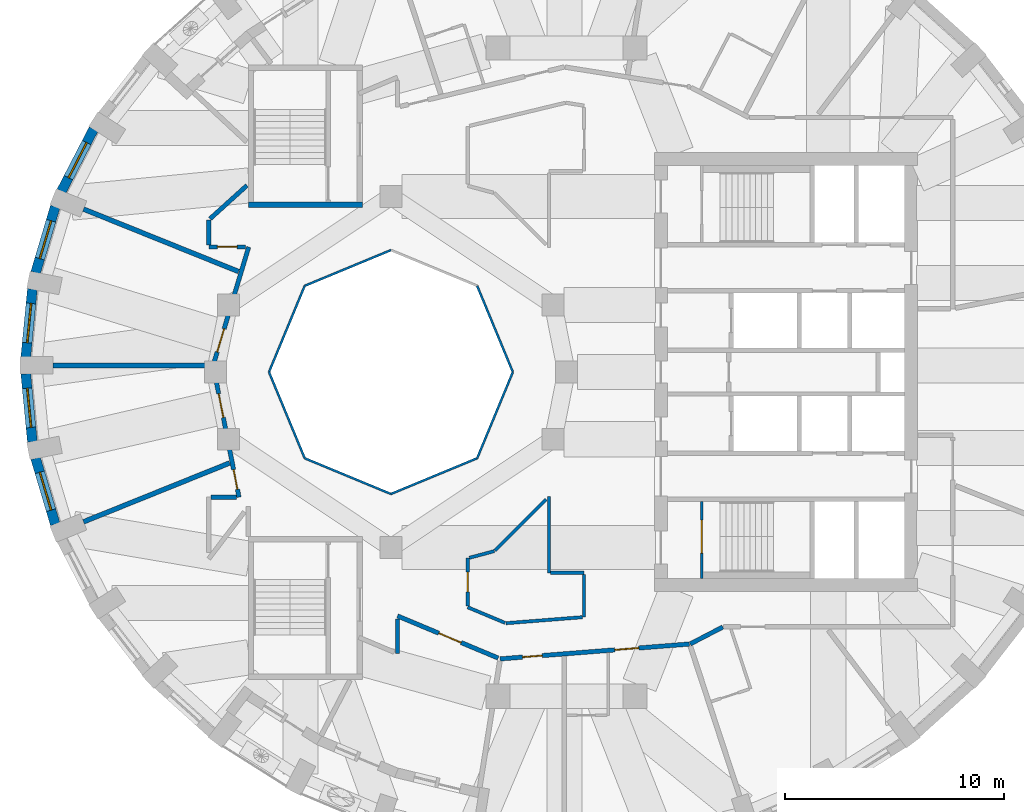
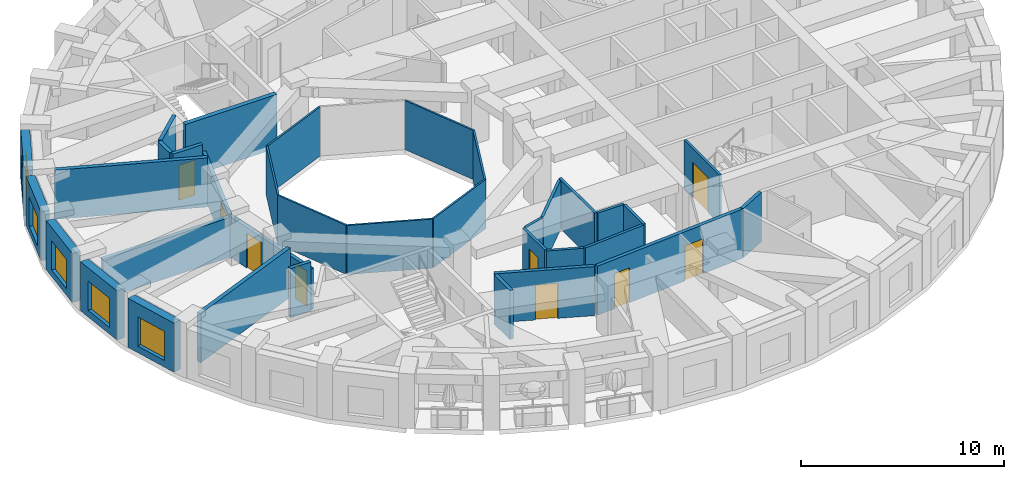
# One storey, part 4 of 12: 35 walls, 9 doors, 5 windows, 14 openings.
"""IFC4 building model written with IfcOpenShell, lengths in metres."""

import ifcopenshell
import ifcopenshell.guid

model = None  # the IFC model being written
_history = None  # IfcOwnerHistory: only IFC2X3 demands one
_inside = {}  # id of a spatial element -> (the spatial element, [elements in it])
_under = {}  # id of a project, library or spatial element -> (it, [spatial elements below it])
_declared = {}  # id of a project -> (the project, [libraries it declares])
_typed = {}  # id of a type object -> (the type object, [elements of that type])
_made_of = {}  # id of a material, layer set ... -> (it, [elements and type objects made of it])


def new_model(schema):
    """Start an empty IFC model of exactly this schema.

    Asked for "IFC4X3", IfcOpenShell would pick the latest addendum, in which some entities
    have other attributes; the version numbers below select the first issue.
    IFC2X3 requires an IfcOwnerHistory on every rooted entity: one is made here for all.
    """
    global model, _history
    if schema == "IFC4X3":
        model = ifcopenshell.file(schema_version=(4, 3, 0, 0))
    else:
        model = ifcopenshell.file(schema=schema)
    _inside.clear()
    _under.clear()
    _declared.clear()
    _typed.clear()
    _made_of.clear()
    _history = None
    if model.schema == "IFC2X3":
        org = make("IfcOrganization", Name="unknown")
        user = make(
            "IfcPersonAndOrganization",
            ThePerson=make("IfcPerson", FamilyName="unknown"),
            TheOrganization=org,
        )
        app = make(
            "IfcApplication",
            ApplicationDeveloper=org,
            Version="unknown",
            ApplicationFullName="unknown",
            ApplicationIdentifier="unknown",
        )
        _history = make(
            "IfcOwnerHistory",
            OwningUser=user,
            OwningApplication=app,
            ChangeAction="ADDED",
            CreationDate=0,
        )
    return model


def make(cls, **values):
    """One entity of the class cls with the attributes given. An attribute that is None is left unset."""
    return model.create_entity(
        cls, **{name: value for name, value in values.items() if value is not None}
    )


def rooted(cls, **values):
    """An entity with a GlobalId (a new one), such as an element, a storey or a relation."""
    return make(cls, GlobalId=ifcopenshell.guid.new(), OwnerHistory=_history, **values)


def si_unit(unit_type, name, prefix=None):
    """IfcSIUnit, for example si_unit("LENGTHUNIT", "METRE", prefix="MILLI")."""
    return make("IfcSIUnit", UnitType=unit_type, Prefix=prefix, Name=name)


def assignment(units):
    """IfcUnitAssignment: the units of a project."""
    return None if units is None else make("IfcUnitAssignment", Units=units)


def point(xyz):
    """IfcCartesianPoint."""
    return None if xyz is None else make("IfcCartesianPoint", Coordinates=xyz)


def direction(xyz):
    """IfcDirection."""
    return None if xyz is None else make("IfcDirection", DirectionRatios=xyz)


def frame(location, z_axis=None, x_axis=None):
    """IfcAxis2Placement3D, a coordinate frame: its origin and axes. An axis left out is left unset."""
    return make(
        "IfcAxis2Placement3D",
        Location=point(location),
        Axis=direction(z_axis),
        RefDirection=direction(x_axis),
    )


def frame_2d(location, x_axis=None):
    """IfcAxis2Placement2D, a coordinate frame in the plane: its origin and x axis."""
    return make(
        "IfcAxis2Placement2D", Location=point(location), RefDirection=direction(x_axis)
    )


def origin():
    """The frame at (0, 0, 0) with its axes left unset."""
    return frame((0.0, 0.0, 0.0))


def place(relative_to, where):
    """IfcLocalPlacement: puts the frame where relative to a parent placement (None: the world)."""
    return make(
        "IfcLocalPlacement", PlacementRelTo=relative_to, RelativePlacement=where
    )


def context(
    kind, dimensions, precision=None, world=None, true_north=None, identifier=None
):
    """IfcGeometricRepresentationContext, for example the 3D "Model" context."""
    return make(
        "IfcGeometricRepresentationContext",
        ContextIdentifier=identifier,
        ContextType=kind,
        CoordinateSpaceDimension=dimensions,
        Precision=precision,
        WorldCoordinateSystem=world,
        TrueNorth=true_north,
    )


def subcontext(parent, identifier, kind, view, scale=None):
    """IfcGeometricRepresentationSubContext, for example "Body" below "Model"."""
    return make(
        "IfcGeometricRepresentationSubContext",
        ContextIdentifier=identifier,
        ContextType=kind,
        ParentContext=parent,
        TargetScale=scale,
        TargetView=view,
    )


def project(units=None, contexts=None):
    """IfcProject with its units and contexts."""
    return rooted(
        "IfcProject",
        Name="project",
        RepresentationContexts=contexts,
        UnitsInContext=assignment(units),
    )


def spatial(cls, under=None, at=None, **own):
    """A site, building, storey or space (cls), placed at a placement, below another one or the project."""
    s = rooted(cls, ObjectPlacement=at, **own)
    if under is not None:
        _under.setdefault(under.id(), (under, []))[1].append(s)
    return s


def profile(cls, at=None, kind="AREA", **sizes):
    """A parametric profile (cls). Its sizes go by their IFC names, for example OverallWidth=200.0."""
    return make(cls, ProfileType=kind, Position=at, **sizes)


def rectangle(**sizes):
    """IfcRectangleProfileDef."""
    return profile("IfcRectangleProfileDef", **sizes)


def extrude(swept, where, along, depth):
    """IfcExtrudedAreaSolid: the profile swept, set in the frame where, extruded along a direction by depth."""
    return make(
        "IfcExtrudedAreaSolid",
        SweptArea=swept,
        Position=where,
        ExtrudedDirection=direction(along),
        Depth=depth,
    )


def shape(context_of_items, identifier, shape_type, items):
    """IfcShapeRepresentation: the items that make up one representation, for example the "Body"."""
    return make(
        "IfcShapeRepresentation",
        ContextOfItems=context_of_items,
        RepresentationIdentifier=identifier,
        RepresentationType=shape_type,
        Items=items,
    )


def material(Name=None, Category=None):
    """IfcMaterial."""
    return make("IfcMaterial", Name=Name, Category=Category)


def layer(
    of_material, thickness, ventilated=None, Name=None, Category=None, Priority=None
):
    """IfcMaterialLayer: one layer of a wall or slab, of a material (None: an air gap)."""
    return make(
        "IfcMaterialLayer",
        Material=of_material,
        LayerThickness=thickness,
        IsVentilated=ventilated,
        Name=Name,
        Category=Category,
        Priority=Priority,
    )


def layer_set(layers, Name=None):
    """IfcMaterialLayerSet."""
    return make("IfcMaterialLayerSet", MaterialLayers=layers, LayerSetName=Name)


def made_of(thing, what):
    """Note that an element or type object is made of a material, layer set ...; save() writes the relation."""
    if what is not None:
        _made_of.setdefault(what.id(), (what, []))[1].append(thing)
    return thing


def type_object(cls, material=None, **own):
    """A type object (cls), such as IfcWallType, which elements share."""
    return made_of(rooted(cls, **own), material)


def element(
    cls,
    number,
    at=None,
    inside=None,
    cuts=None,
    type_object=None,
    material=None,
    context=None,
    identifier="Body",
    shape_type=None,
    held_by="IfcProductDefinitionShape",
    body=None,
    shapes=None,
    **own,
):
    """One element of the class cls, such as IfcWall. Its Tag is "e" and its number.

    at: its placement. inside: the storey or other place that contains it. cuts: it is an
    opening in that element (IfcRelVoidsElement). A single representation is given by context,
    identifier, shape_type and body (its items); several are given by shapes. held_by: the class
    of the entity that holds the representations. save() writes the other relations.
    """
    e = rooted(cls, Tag="e%d" % number, ObjectPlacement=at, **own)
    if body is not None:
        shapes = [shape(context, identifier, shape_type, body)]
    if shapes is not None:
        e.Representation = make(held_by, Representations=shapes)
    if inside is not None:
        _inside.setdefault(inside.id(), (inside, []))[1].append(e)
    if cuts is not None:
        rooted(
            "IfcRelVoidsElement", RelatingBuildingElement=cuts, RelatedOpeningElement=e
        )
    if type_object is not None:
        _typed.setdefault(type_object.id(), (type_object, []))[1].append(e)
    return made_of(e, material)


def fill(opening, filler):
    """IfcRelFillsElement: the door or window that sits in an opening."""
    return rooted(
        "IfcRelFillsElement",
        RelatingOpeningElement=opening,
        RelatedBuildingElement=filler,
    )


def aggregate(whole, parts):
    """IfcRelAggregates: a whole, such as a stair, and the parts it consists of."""
    return rooted("IfcRelAggregates", RelatingObject=whole, RelatedObjects=parts)


def save(model, path):
    """Write the relations noted so far, then the file.

    IfcRelAggregates (storeys below a building ...), IfcRelContainedInSpatialStructure (elements
    in a storey), IfcRelDefinesByType, IfcRelAssociatesMaterial and IfcRelDeclares: one each for
    every whole, place, type object, material and project.
    """
    for whole, parts in _under.values():
        aggregate(whole, parts)
    for where, things in _inside.values():
        rooted(
            "IfcRelContainedInSpatialStructure",
            RelatedElements=things,
            RelatingStructure=where,
        )
    for kind, things in _typed.values():
        rooted("IfcRelDefinesByType", RelatedObjects=things, RelatingType=kind)
    for what, things in _made_of.values():
        rooted("IfcRelAssociatesMaterial", RelatedObjects=things, RelatingMaterial=what)
    for by, libraries in _declared.values():
        rooted("IfcRelDeclares", RelatingContext=by, RelatedDefinitions=libraries)
    model.write(path)


model = new_model("IFC4")

# Units and contexts
model_context = context("Model", 3, precision=1e-05, world=origin(), true_north=direction((0.0, 1.0)))
body_context = subcontext(model_context, "Body", "Model", "MODEL_VIEW")
ifc_project = project(units=[si_unit("LENGTHUNIT", "METRE"), si_unit("AREAUNIT", "SQUARE_METRE"), si_unit("VOLUMEUNIT", "CUBIC_METRE"), si_unit("PLANEANGLEUNIT", "RADIAN"), si_unit("MASSUNIT", "GRAM", prefix="KILO")], contexts=[model_context])

# Site, building, storey
site_placement = place(None, origin())
site = spatial("IfcSite", under=ifc_project, at=site_placement, CompositionType="ELEMENT")
building_placement = place(site_placement, origin())
building = spatial("IfcBuilding", under=site, at=building_placement, Name="Taillehof Tower", CompositionType="ELEMENT")
storey_placement = place(building_placement, frame((0.0, 0.0, 256.39990234375)))
storey = spatial("IfcBuildingStorey", under=building, at=storey_placement, Name="L73", CompositionType="ELEMENT", Elevation=256.39990234375)

# Walls
ifc_material_1 = material(Name="Fire-resisting glass in steel frame", Category="steel")
ifc_layer_1 = layer(ifc_material_1, 0.10009765625)
ifc_layer_set_1 = layer_set([ifc_layer_1], Name="Atrium fire-resisting screen EI 60 100")
wall_type_1 = type_object("IfcWallType", Name="Atrium fire-resisting screen EI 60 100", PredefinedType="PARTITIONING", material=ifc_layer_set_1)
for number, where, z_axis, x_axis, name in (
    (1, (-2.44580078125, 0.0, 0.0), (0.0, 0.0, 1.0), (-0.382730523909, -0.923860025149, 0.0), "Atrium screen"),
    (2, (-4.07275390625, -3.92724609375, 0.0), (0.0, 0.0, 1.0), (-0.923860025149, -0.382730523909, 0.0), "Atrium screen"),
    (3, (-8.0, -5.55419921875, 0.0), (0.0, 0.0, 1.0), (-0.923860025149, 0.382730523909, 0.0), "Atrium screen"),
    (4, (-11.92724609375, -3.92724609375, 0.0), (0.0, 0.0, 1.0), (-0.382730523909, 0.923860025149, 0.0), "Atrium screen"),
    (5, (-13.55419921875, 0.0, 0.0), (0.0, 0.0, 1.0), (0.382730523909, 0.923860025149, 0.0), "Atrium screen"),
    (6, (-11.92724609375, 3.92724609375, 0.0), (0.0, 0.0, 1.0), (0.923860025149, 0.382730523909, 0.0), "Atrium screen"),
    (7, (-4.07275390625, 3.92724609375, 0.0), (0.0, 0.0, 1.0), (0.382730523909, -0.923860025149, 0.0), "Atrium screen"),
):
    element("IfcWall", number, at=place(storey_placement, frame(where, z_axis=z_axis, x_axis=x_axis)), inside=storey, type_object=wall_type_1, Name=name, PredefinedType="PARTITIONING", context=body_context, shape_type="SweptSolid", body=[
        extrude(rectangle(XDim=4.2509765625, YDim=0.10009765625, at=frame_2d((2.12548828125, 0.0))), origin(), (0.0, 0.0, 1.0), 2.9501953125),
    ])

# Wall, opening, window
ifc_material_2 = material(Name="Brick masonry", Category="masonry")
ifc_layer_2 = layer(ifc_material_2, 0.449951171875)
ifc_layer_set_2 = layer_set([ifc_layer_2], Name="Brick infill wall 450")
wall_type_2 = type_object("IfcWallType", Name="Brick infill wall 450", PredefinedType="SOLIDWALL", material=ifc_layer_set_2)
wall_1_placement = place(storey_placement, frame((-21.544921875, 11.068359375, 0.0), z_axis=(0.0, 0.0, 1.0), x_axis=(-0.459889857669, -0.887975967475, 0.0)))
wall_1 = element("IfcWall", 8, at=wall_1_placement, inside=storey, type_object=wall_type_2, Name="Brick wall L73 bay 16", PredefinedType="SOLIDWALL", context=body_context, shape_type="SweptSolid", body=[
    extrude(rectangle(XDim=3.185791015625, YDim=0.449951171875, at=frame_2d((1.5927734375, 0.0))), origin(), (0.0, 0.0, 1.0), 2.9501953125),
])
opening_1_placement = place(wall_1_placement, frame((0.69287109375, 0.0, 0.39990234375)))
opening_1 = element("IfcOpeningElement", 9, at=opening_1_placement, cuts=wall_1, Name="Opening W4", PredefinedType="OPENING", context=body_context, shape_type="SweptSolid", body=[
    extrude(rectangle(XDim=1.800048828125, YDim=1.75, at=frame_2d((0.89990234375, 0.875))), frame((0.0, 0.23486328125, 0.0), z_axis=(0.0, -1.0, 0.0), x_axis=(1.0, 0.0, 0.0)), (0.0, 0.0, 1.0), 0.469970703125),
])
ifc_material_3 = material(Name="Aluminium window frame with clear double glazing", Category="aluminium")
window_type = type_object("IfcWindowType", Name="Deep-set window 1800x1750", PartitioningType="SINGLE_PANEL", PredefinedType="WINDOW", material=ifc_material_3)
window_1_placement = place(opening_1_placement, origin())
window_1 = element("IfcWindow", 10, at=window_1_placement, inside=storey, type_object=window_type, Name="W4", OverallHeight=1.75, OverallWidth=1.800048828125, PartitioningType="SINGLE_PANEL", PredefinedType="WINDOW", context=body_context, shape_type="SweptSolid", body=[
    extrude(rectangle(XDim=1.800048828125, YDim=1.75, at=frame_2d((0.89990234375, 0.875))), frame((0.0, 0.034912109375, 0.0), z_axis=(0.0, -1.0, 0.0), x_axis=(1.0, 0.0, 0.0)), (0.0, 0.0, 1.0), 0.06005859375),
])
fill(opening_1, window_1)

wall_2_placement = place(storey_placement, frame((-23.29443359375, 7.53466796875, 0.0), z_axis=(0.0, 0.0, 1.0), x_axis=(-0.285263800865, -0.958449040855, 0.0)))
wall_2 = element("IfcWall", 11, at=wall_2_placement, inside=storey, type_object=wall_type_2, Name="Brick wall L73 bay 17", PredefinedType="SOLIDWALL", context=body_context, shape_type="SweptSolid", body=[
    extrude(rectangle(XDim=3.13916015625, YDim=0.449951171875, at=frame_2d((1.569580078125, 0.0))), origin(), (0.0, 0.0, 1.0), 2.9501953125),
])
opening_2_placement = place(wall_2_placement, frame((0.669677734375, 0.0, 0.39990234375)))
opening_2 = element("IfcOpeningElement", 12, at=opening_2_placement, cuts=wall_2, Name="Opening W4", PredefinedType="OPENING", context=body_context, shape_type="SweptSolid", body=[
    extrude(rectangle(XDim=1.800048828125, YDim=1.75, at=frame_2d((0.89990234375, 0.875))), frame((0.0, 0.23486328125, 0.0), z_axis=(0.0, -1.0, 0.0), x_axis=(1.0, 0.0, 0.0)), (0.0, 0.0, 1.0), 0.469970703125),
])
window_2_placement = place(opening_2_placement, origin())
window_2 = element("IfcWindow", 13, at=window_2_placement, inside=storey, type_object=window_type, Name="W4", OverallHeight=1.75, OverallWidth=1.800048828125, PartitioningType="SINGLE_PANEL", PredefinedType="WINDOW", context=body_context, shape_type="SweptSolid", body=[
    extrude(rectangle(XDim=1.800048828125, YDim=1.75, at=frame_2d((0.89990234375, 0.875))), frame((0.0, 0.034912109375, 0.0), z_axis=(0.0, -1.0, 0.0), x_axis=(1.0, 0.0, 0.0)), (0.0, 0.0, 1.0), 0.06005859375),
])
fill(opening_2, window_2)

wall_3_placement = place(storey_placement, frame((-24.335693359375, 3.77978515625, 0.0), z_axis=(0.0, 0.0, 1.0), x_axis=(-0.096740086873, -0.995309678237, 0.0)))
wall_3 = element("IfcWall", 14, at=wall_3_placement, inside=storey, type_object=wall_type_2, Name="Brick wall L73 bay 18", PredefinedType="SOLIDWALL", context=body_context, shape_type="SweptSolid", body=[
    extrude(rectangle(XDim=3.1142578125, YDim=0.449951171875, at=frame_2d((1.55712890625, 0.0))), origin(), (0.0, 0.0, 1.0), 2.9501953125),
])
opening_3_placement = place(wall_3_placement, frame((0.6572265625, 0.0, 0.39990234375)))
opening_3 = element("IfcOpeningElement", 15, at=opening_3_placement, cuts=wall_3, Name="Opening W4", PredefinedType="OPENING", context=body_context, shape_type="SweptSolid", body=[
    extrude(rectangle(XDim=1.800048828125, YDim=1.75, at=frame_2d((0.89990234375, 0.875))), frame((0.0, 0.23486328125, 0.0), z_axis=(0.0, -1.0, 0.0), x_axis=(1.0, 0.0, 0.0)), (0.0, 0.0, 1.0), 0.469970703125),
])
window_3_placement = place(opening_3_placement, origin())
window_3 = element("IfcWindow", 16, at=window_3_placement, inside=storey, type_object=window_type, Name="W4", OverallHeight=1.75, OverallWidth=1.800048828125, PartitioningType="SINGLE_PANEL", PredefinedType="WINDOW", context=body_context, shape_type="SweptSolid", body=[
    extrude(rectangle(XDim=1.800048828125, YDim=1.75, at=frame_2d((0.89990234375, 0.875))), frame((0.0, 0.034912109375, 0.0), z_axis=(0.0, -1.0, 0.0), x_axis=(1.0, 0.0, 0.0)), (0.0, 0.0, 1.0), 0.06005859375),
])
fill(opening_3, window_3)

wall_4_placement = place(storey_placement, frame((-24.636962890625, -0.080078125, 0.0), z_axis=(0.0, 0.0, 1.0), x_axis=(0.09673253904, -0.995310411827, 0.0)))
wall_4 = element("IfcWall", 17, at=wall_4_placement, inside=storey, type_object=wall_type_2, Name="Brick wall L73 bay 19", PredefinedType="SOLIDWALL", context=body_context, shape_type="SweptSolid", body=[
    extrude(rectangle(XDim=3.114501953125, YDim=0.449951171875, at=frame_2d((1.55712890625, 0.0))), origin(), (0.0, 0.0, 1.0), 2.9501953125),
])
opening_4_placement = place(wall_4_placement, frame((0.6572265625, 0.0, 0.39990234375)))
opening_4 = element("IfcOpeningElement", 18, at=opening_4_placement, cuts=wall_4, Name="Opening W4", PredefinedType="OPENING", context=body_context, shape_type="SweptSolid", body=[
    extrude(rectangle(XDim=1.800048828125, YDim=1.75, at=frame_2d((0.89990234375, 0.875))), frame((0.0, 0.23486328125, 0.0), z_axis=(0.0, -1.0, 0.0), x_axis=(1.0, 0.0, 0.0)), (0.0, 0.0, 1.0), 0.469970703125),
])
window_4_placement = place(opening_4_placement, origin())
window_4 = element("IfcWindow", 19, at=window_4_placement, inside=storey, type_object=window_type, Name="W4", OverallHeight=1.75, OverallWidth=1.800048828125, PartitioningType="SINGLE_PANEL", PredefinedType="WINDOW", context=body_context, shape_type="SweptSolid", body=[
    extrude(rectangle(XDim=1.800048828125, YDim=1.75, at=frame_2d((0.89990234375, 0.875))), frame((0.0, 0.034912109375, 0.0), z_axis=(0.0, -1.0, 0.0), x_axis=(1.0, 0.0, 0.0)), (0.0, 0.0, 1.0), 0.06005859375),
])
fill(opening_4, window_4)

wall_5_placement = place(storey_placement, frame((-24.18994140625, -3.92578125, 0.0), z_axis=(0.0, 0.0, 1.0), x_axis=(0.285263800865, -0.958449040855, 0.0)))
wall_5 = element("IfcWall", 20, at=wall_5_placement, inside=storey, type_object=wall_type_2, Name="Brick wall L73 bay 20", PredefinedType="SOLIDWALL", context=body_context, shape_type="SweptSolid", body=[
    extrude(rectangle(XDim=3.13916015625, YDim=0.449951171875, at=frame_2d((1.569580078125, 0.0))), origin(), (0.0, 0.0, 1.0), 2.9501953125),
])
opening_5_placement = place(wall_5_placement, frame((0.669677734375, 0.0, 0.39990234375)))
opening_5 = element("IfcOpeningElement", 21, at=opening_5_placement, cuts=wall_5, Name="Opening W4", PredefinedType="OPENING", context=body_context, shape_type="SweptSolid", body=[
    extrude(rectangle(XDim=1.800048828125, YDim=1.75, at=frame_2d((0.89990234375, 0.875))), frame((0.0, 0.23486328125, 0.0), z_axis=(0.0, -1.0, 0.0), x_axis=(1.0, 0.0, 0.0)), (0.0, 0.0, 1.0), 0.469970703125),
])
window_5_placement = place(opening_5_placement, origin())
window_5 = element("IfcWindow", 22, at=window_5_placement, inside=storey, type_object=window_type, Name="W4", OverallHeight=1.75, OverallWidth=1.800048828125, PartitioningType="SINGLE_PANEL", PredefinedType="WINDOW", context=body_context, shape_type="SweptSolid", body=[
    extrude(rectangle(XDim=1.800048828125, YDim=1.75, at=frame_2d((0.89990234375, 0.875))), frame((0.0, 0.034912109375, 0.0), z_axis=(0.0, -1.0, 0.0), x_axis=(1.0, 0.0, 0.0)), (0.0, 0.0, 1.0), 0.06005859375),
])
fill(opening_5, window_5)

# Wall, openings, doors
ifc_material_4 = material(Name="Gypsum board on steel studs, two layers each side", Category="steel")
ifc_layer_3 = layer(ifc_material_4, 0.199951171875)
ifc_layer_set_3 = layer_set([ifc_layer_3], Name="Compartment wall corridor 200")
wall_type_3 = type_object("IfcWallType", Name="Compartment wall corridor 200", PredefinedType="PARTITIONING", material=ifc_layer_set_3)
wall_6_placement = place(storey_placement, frame((-14.9228515625, -5.699951171875, 0.0), z_axis=(0.0, 0.0, 1.0), x_axis=(-0.192536596074, 0.981289793676, 0.0)))
wall_6 = element("IfcWall", 23, at=wall_6_placement, inside=storey, type_object=wall_type_3, Name="Compartment wall", PredefinedType="PARTITIONING", context=body_context, shape_type="SweptSolid", body=[
    extrude(rectangle(XDim=6.114501953125, YDim=0.199951171875, at=frame_2d((3.05712890625, 0.0))), origin(), (0.0, 0.0, 1.0), 2.4501953125),
])
opening_6_placement = place(wall_6_placement, frame((3.69873046875, 0.0, 0.0)))
opening_6 = element("IfcOpeningElement", 24, at=opening_6_placement, cuts=wall_6, Name="Opening D7348", PredefinedType="OPENING", context=body_context, shape_type="SweptSolid", body=[
    extrude(rectangle(XDim=1.10009765625, YDim=2.10009765625, at=frame_2d((0.550048828125, 1.050048828125))), frame((0.0, 0.10986328125, 0.0), z_axis=(0.0, -1.0, 0.0), x_axis=(1.0, 0.0, 0.0)), (0.0, 0.0, 1.0), 0.219970703125),
])
opening_7_placement = place(wall_6_placement, frame((0.37158203125, 0.0, 0.0)))
opening_7 = element("IfcOpeningElement", 25, at=opening_7_placement, cuts=wall_6, Name="Opening D7349", PredefinedType="OPENING", context=body_context, shape_type="SweptSolid", body=[
    extrude(rectangle(XDim=0.89990234375, YDim=2.10009765625, at=frame_2d((0.449951171875, 1.050048828125))), frame((0.0, 0.10986328125, 0.0), z_axis=(0.0, -1.0, 0.0), x_axis=(1.0, 0.0, 0.0)), (0.0, 0.0, 1.0), 0.219970703125),
])
ifc_material_5 = material(Name="Timber door leaf in steel frame", Category="steel")
door_type_1 = type_object("IfcDoorType", Name="Service room door EI 30 900 x 2100", OperationType="SINGLE_SWING_LEFT", PredefinedType="DOOR", material=ifc_material_5)
door_1_placement = place(opening_7_placement, origin())
door_1 = element("IfcDoor", 26, at=door_1_placement, inside=storey, type_object=door_type_1, Name="D7349", OperationType="SINGLE_SWING_RIGHT", OverallHeight=2.10009765625, OverallWidth=0.89990234375, PredefinedType="DOOR", context=body_context, shape_type="SweptSolid", body=[
    extrude(rectangle(XDim=0.89990234375, YDim=2.10009765625, at=frame_2d((0.449951171875, 1.050048828125))), frame((0.0, 0.02490234375, 0.0), z_axis=(0.0, -1.0, 0.0), x_axis=(1.0, 0.0, 0.0)), (0.0, 0.0, 1.0), 0.050048828125),
])
fill(opening_7, door_1)
ifc_material_6 = material(Name="Timber door leaf in steel frame", Category="steel")
door_type_2 = type_object("IfcDoorType", Name="Suite entrance door EI 30 1100 x 2100", OperationType="SINGLE_SWING_LEFT", PredefinedType="DOOR", material=ifc_material_6)
door_2_placement = place(opening_6_placement, origin())
door_2 = element("IfcDoor", 27, at=door_2_placement, inside=storey, type_object=door_type_2, Name="D7348", OperationType="SINGLE_SWING_RIGHT", OverallHeight=2.10009765625, OverallWidth=1.10009765625, PredefinedType="DOOR", context=body_context, shape_type="SweptSolid", body=[
    extrude(rectangle(XDim=1.10009765625, YDim=2.10009765625, at=frame_2d((0.550048828125, 1.050048828125))), frame((0.0, 0.02490234375, 0.0), z_axis=(0.0, -1.0, 0.0), x_axis=(1.0, 0.0, 0.0)), (0.0, 0.0, 1.0), 0.050048828125),
])
fill(opening_6, door_2)

# Wall, opening, door
wall_7_placement = place(storey_placement, frame((-16.07080078125, 0.395263671875, 0.0), z_axis=(0.0, 0.0, 1.0), x_axis=(0.287129472402, 0.957891782029, 0.0)))
wall_7 = element("IfcWall", 28, at=wall_7_placement, inside=storey, type_object=wall_type_3, Name="Compartment wall", PredefinedType="PARTITIONING", context=body_context, shape_type="SweptSolid", body=[
    extrude(rectangle(XDim=5.537841796875, YDim=0.199951171875, at=frame_2d((2.76904296875, 0.0))), origin(), (0.0, 0.0, 1.0), 2.4501953125),
])
opening_8_placement = place(wall_7_placement, frame((0.542724609375, 0.0, 0.0)))
opening_8 = element("IfcOpeningElement", 29, at=opening_8_placement, cuts=wall_7, Name="Opening D7347", PredefinedType="OPENING", context=body_context, shape_type="SweptSolid", body=[
    extrude(rectangle(XDim=1.10009765625, YDim=2.10009765625, at=frame_2d((0.550048828125, 1.050048828125))), frame((0.0, 0.10986328125, 0.0), z_axis=(0.0, -1.0, 0.0), x_axis=(1.0, 0.0, 0.0)), (0.0, 0.0, 1.0), 0.219970703125),
])
door_3_placement = place(opening_8_placement, origin())
door_3 = element("IfcDoor", 30, at=door_3_placement, inside=storey, type_object=door_type_2, Name="D7347", OperationType="SINGLE_SWING_LEFT", OverallHeight=2.10009765625, OverallWidth=1.10009765625, PredefinedType="DOOR", context=body_context, shape_type="SweptSolid", body=[
    extrude(rectangle(XDim=1.10009765625, YDim=2.10009765625, at=frame_2d((0.550048828125, 1.050048828125))), frame((0.0, 0.02490234375, 0.0), z_axis=(0.0, -1.0, 0.0), x_axis=(1.0, 0.0, 0.0)), (0.0, 0.0, 1.0), 0.050048828125),
])
fill(opening_8, door_3)

wall_8_placement = place(storey_placement, frame((-14.620849609375, 5.699951171875, 0.0), z_axis=(0.0, 0.0, 1.0), x_axis=(-1.0, 0.0, 0.0)))
wall_8 = element("IfcWall", 31, at=wall_8_placement, inside=storey, type_object=wall_type_3, Name="Compartment wall", PredefinedType="PARTITIONING", context=body_context, shape_type="SweptSolid", body=[
    extrude(rectangle(XDim=1.67919921875, YDim=0.199951171875, at=frame_2d((0.839599609375, 0.0))), origin(), (0.0, 0.0, 1.0), 2.9501953125),
])
opening_9_placement = place(wall_8_placement, frame((0.3896484375, 0.0, 0.0)))
opening_9 = element("IfcOpeningElement", 32, at=opening_9_placement, cuts=wall_8, Name="Opening D7346", PredefinedType="OPENING", context=body_context, shape_type="SweptSolid", body=[
    extrude(rectangle(XDim=0.89990234375, YDim=2.10009765625, at=frame_2d((0.449951171875, 1.050048828125))), frame((0.0, 0.10986328125, 0.0), z_axis=(0.0, -1.0, 0.0), x_axis=(1.0, 0.0, 0.0)), (0.0, 0.0, 1.0), 0.219970703125),
])
door_4_placement = place(opening_9_placement, origin())
door_4 = element("IfcDoor", 33, at=door_4_placement, inside=storey, type_object=door_type_1, Name="D7346", OperationType="SINGLE_SWING_LEFT", OverallHeight=2.10009765625, OverallWidth=0.89990234375, PredefinedType="DOOR", context=body_context, shape_type="SweptSolid", body=[
    extrude(rectangle(XDim=0.89990234375, YDim=2.10009765625, at=frame_2d((0.449951171875, 1.050048828125))), frame((0.0, 0.02490234375, 0.0), z_axis=(0.0, -1.0, 0.0), x_axis=(1.0, 0.0, 0.0)), (0.0, 0.0, 1.0), 0.050048828125),
])
fill(opening_9, door_4)

# Walls
wall_9_placement = place(storey_placement, frame((-16.300048828125, 5.800048828125, 0.0), z_axis=(0.0, 0.0, 1.0), x_axis=(0.0, 1.0, 0.0)))
element("IfcWall", 34, at=wall_9_placement, inside=storey, type_object=wall_type_3, Name="Compartment wall", PredefinedType="PARTITIONING", context=body_context, shape_type="SweptSolid", body=[
    extrude(rectangle(XDim=1.1298828125, YDim=0.199951171875, at=frame_2d((0.56494140625, 0.0))), origin(), (0.0, 0.0, 1.0), 2.9501953125),
])
wall_10_placement = place(storey_placement, frame((-16.240478515625, 6.983642578125, 0.0), z_axis=(0.0, 0.0, 1.0), x_axis=(0.742140692687, 0.67024412885, 0.0)))
element("IfcWall", 35, at=wall_10_placement, inside=storey, type_object=wall_type_3, Name="Compartment wall", PredefinedType="PARTITIONING", context=body_context, shape_type="SweptSolid", body=[
    extrude(rectangle(XDim=2.264892578125, YDim=0.199951171875, at=frame_2d((1.13232421875, 0.0))), origin(), (0.0, 0.0, 1.0), 2.9501953125),
])
wall_11_placement = place(storey_placement, frame((7.116455078125, -11.61865234375, 0.0), z_axis=(0.0, 0.0, 1.0), x_axis=(-0.88733399288, -0.461127298128, 0.0)))
element("IfcWall", 36, at=wall_11_placement, inside=storey, type_object=wall_type_3, Name="Compartment wall", PredefinedType="PARTITIONING", context=body_context, shape_type="SweptSolid", body=[
    extrude(rectangle(XDim=1.6708984375, YDim=0.199951171875, at=frame_2d((0.83544921875, 0.0))), origin(), (0.0, 0.0, 1.0), 2.9501953125),
])

# Wall, openings, doors
wall_12_placement = place(storey_placement, frame((5.59375, -12.39208984375, 0.0), z_axis=(0.0, 0.0, 1.0), x_axis=(-0.996925151721, -0.078359695423, 0.0)))
wall_12 = element("IfcWall", 37, at=wall_12_placement, inside=storey, type_object=wall_type_3, Name="Compartment wall", PredefinedType="PARTITIONING", context=body_context, shape_type="SweptSolid", body=[
    extrude(rectangle(XDim=8.642822265625, YDim=0.199951171875, at=frame_2d((4.3212890625, 0.0))), origin(), (0.0, 0.0, 1.0), 2.9501953125),
])
opening_10_placement = place(wall_12_placement, frame((6.72216796875, 0.0, 0.0)))
opening_10 = element("IfcOpeningElement", 38, at=opening_10_placement, cuts=wall_12, Name="Opening D7351", PredefinedType="OPENING", context=body_context, shape_type="SweptSolid", body=[
    extrude(rectangle(XDim=0.89990234375, YDim=2.10009765625, at=frame_2d((0.449951171875, 1.050048828125))), frame((0.0, 0.10986328125, 0.0), z_axis=(0.0, -1.0, 0.0), x_axis=(1.0, 0.0, 0.0)), (0.0, 0.0, 1.0), 0.219970703125),
])
opening_11_placement = place(wall_12_placement, frame((2.30859375, 0.0, 0.0)))
opening_11 = element("IfcOpeningElement", 39, at=opening_11_placement, cuts=wall_12, Name="Opening D7352", PredefinedType="OPENING", context=body_context, shape_type="SweptSolid", body=[
    extrude(rectangle(XDim=1.10009765625, YDim=2.10009765625, at=frame_2d((0.550048828125, 1.050048828125))), frame((0.0, 0.10986328125, 0.0), z_axis=(0.0, -1.0, 0.0), x_axis=(1.0, 0.0, 0.0)), (0.0, 0.0, 1.0), 0.219970703125),
])
door_5_placement = place(opening_10_placement, origin())
door_5 = element("IfcDoor", 40, at=door_5_placement, inside=storey, type_object=door_type_1, Name="D7351", OperationType="SINGLE_SWING_RIGHT", OverallHeight=2.10009765625, OverallWidth=0.89990234375, PredefinedType="DOOR", context=body_context, shape_type="SweptSolid", body=[
    extrude(rectangle(XDim=0.89990234375, YDim=2.10009765625, at=frame_2d((0.449951171875, 1.050048828125))), frame((0.0, 0.02490234375, 0.0), z_axis=(0.0, -1.0, 0.0), x_axis=(1.0, 0.0, 0.0)), (0.0, 0.0, 1.0), 0.050048828125),
])
fill(opening_10, door_5)
door_6_placement = place(opening_11_placement, origin())
door_6 = element("IfcDoor", 41, at=door_6_placement, inside=storey, type_object=door_type_2, Name="D7352", OperationType="SINGLE_SWING_RIGHT", OverallHeight=2.10009765625, OverallWidth=1.10009765625, PredefinedType="DOOR", context=body_context, shape_type="SweptSolid", body=[
    extrude(rectangle(XDim=1.10009765625, YDim=2.10009765625, at=frame_2d((0.550048828125, 1.050048828125))), frame((0.0, 0.02490234375, 0.0), z_axis=(0.0, -1.0, 0.0), x_axis=(1.0, 0.0, 0.0)), (0.0, 0.0, 1.0), 0.050048828125),
])
fill(opening_11, door_6)

# Wall, opening, door
wall_13_placement = place(storey_placement, frame((-3.115234375, -13.0302734375, 0.0), z_axis=(0.0, 0.0, 1.0), x_axis=(-0.922510557065, 0.385971854031, 0.0)))
wall_13 = element("IfcWall", 42, at=wall_13_placement, inside=storey, type_object=wall_type_3, Name="Compartment wall", PredefinedType="PARTITIONING", context=body_context, shape_type="SweptSolid", body=[
    extrude(rectangle(XDim=4.9697265625, YDim=0.199951171875, at=frame_2d((2.48486328125, 0.0))), origin(), (0.0, 0.0, 1.0), 2.9501953125),
])
opening_12_placement = place(wall_13_placement, frame((1.829345703125, 0.0, 0.0)))
opening_12 = element("IfcOpeningElement", 43, at=opening_12_placement, cuts=wall_13, Name="Opening D7350", PredefinedType="OPENING", context=body_context, shape_type="SweptSolid", body=[
    extrude(rectangle(XDim=1.10009765625, YDim=2.10009765625, at=frame_2d((0.550048828125, 1.050048828125))), frame((0.0, 0.10986328125, 0.0), z_axis=(0.0, -1.0, 0.0), x_axis=(1.0, 0.0, 0.0)), (0.0, 0.0, 1.0), 0.219970703125),
])
door_7_placement = place(opening_12_placement, origin())
door_7 = element("IfcDoor", 44, at=door_7_placement, inside=storey, type_object=door_type_2, Name="D7350", OperationType="SINGLE_SWING_LEFT", OverallHeight=2.10009765625, OverallWidth=1.10009765625, PredefinedType="DOOR", context=body_context, shape_type="SweptSolid", body=[
    extrude(rectangle(XDim=1.10009765625, YDim=2.10009765625, at=frame_2d((0.550048828125, 1.050048828125))), frame((0.0, 0.02490234375, 0.0), z_axis=(0.0, -1.0, 0.0), x_axis=(1.0, 0.0, 0.0)), (0.0, 0.0, 1.0), 0.050048828125),
])
fill(opening_12, door_7)

# Walls
wall_14_placement = place(storey_placement, frame((-7.699951171875, -11.252197265625, 0.0), z_axis=(0.0, 0.0, 1.0), x_axis=(0.0, -1.0, 0.0)))
element("IfcWall", 45, at=wall_14_placement, inside=storey, type_object=wall_type_3, Name="Compartment wall", PredefinedType="PARTITIONING", context=body_context, shape_type="SweptSolid", body=[
    extrude(rectangle(XDim=1.576171875, YDim=0.199951171875, at=frame_2d((0.7880859375, 0.0))), origin(), (0.0, 0.0, 1.0), 2.9501953125),
])
wall_15_placement = place(storey_placement, frame((-16.199951171875, -5.699951171875, 0.0), z_axis=(0.0, 0.0, 1.0), x_axis=(1.0, 0.0, 0.0)))
element("IfcWall", 46, at=wall_15_placement, inside=storey, type_object=wall_type_3, Name="Compartment wall", PredefinedType="PARTITIONING", context=body_context, shape_type="SweptSolid", body=[
    extrude(rectangle(XDim=1.156982421875, YDim=0.199951171875, at=frame_2d((0.57861328125, 0.0))), origin(), (0.0, 0.0, 1.0), 2.9501953125),
])
ifc_material_7 = material(Name="Gypsum board on double steel studs with mineral wool", Category="steel")
ifc_layer_4 = layer(ifc_material_7, 0.219970703125)
ifc_layer_set_4 = layer_set([ifc_layer_4], Name="Compartment wall guest room 220")
wall_type_4 = type_object("IfcWallType", Name="Compartment wall guest room 220", PredefinedType="PARTITIONING", material=ifc_layer_set_4)
wall_16_placement = place(storey_placement, frame((-22.00390625, 7.42431640625, 0.0), z_axis=(0.0, 0.0, 1.0), x_axis=(0.927533826991, -0.373739213607, 0.0)))
element("IfcWall", 47, at=wall_16_placement, inside=storey, type_object=wall_type_4, Name="Compartment wall", PredefinedType="PARTITIONING", context=body_context, shape_type="SweptSolid", body=[
    extrude(rectangle(XDim=7.613525390625, YDim=0.219970703125, at=frame_2d((3.806640625, 0.0))), origin(), (0.0, 0.0, 1.0), 2.9501953125),
])
wall_17_placement = place(storey_placement, frame((-23.39990234375, 0.300048828125, 0.0), z_axis=(0.0, 0.0, 1.0), x_axis=(1.0, 0.0, 0.0)))
element("IfcWall", 48, at=wall_17_placement, inside=storey, type_object=wall_type_4, Name="Compartment wall", PredefinedType="PARTITIONING", context=body_context, shape_type="SweptSolid", body=[
    extrude(rectangle(XDim=7.19970703125, YDim=0.219970703125, at=frame_2d((3.599853515625, 0.0))), origin(), (0.0, 0.0, 1.0), 2.400146484375),
])
wall_18_placement = place(storey_placement, frame((-22.00390625, -6.824462890625, 0.0), z_axis=(0.0, 0.0, 1.0), x_axis=(0.927530164265, 0.373748303513, 0.0)))
element("IfcWall", 49, at=wall_18_placement, inside=storey, type_object=wall_type_4, Name="Compartment wall", PredefinedType="PARTITIONING", context=body_context, shape_type="SweptSolid", body=[
    extrude(rectangle(XDim=7.173583984375, YDim=0.219970703125, at=frame_2d((3.5869140625, 0.0))), origin(), (0.0, 0.0, 1.0), 2.9501953125),
])
ifc_material_8 = material(Name="Gypsum board on steel studs, two layers each side", Category="steel")
ifc_layer_5 = layer(ifc_material_8, 0.14990234375)
ifc_layer_set_5 = layer_set([ifc_layer_5], Name="Compartment wall service room 150")
wall_type_5 = type_object("IfcWallType", Name="Compartment wall service room 150", PredefinedType="PARTITIONING", material=ifc_layer_set_5)
wall_19_placement = place(storey_placement, frame((-0.800048828125, -5.66943359375, 0.0), z_axis=(0.0, 0.0, 1.0), x_axis=(0.0, -1.0, 0.0)))
element("IfcWall", 50, at=wall_19_placement, inside=storey, type_object=wall_type_5, Name="Compartment wall", PredefinedType="PARTITIONING", context=body_context, shape_type="SweptSolid", body=[
    extrude(rectangle(XDim=3.48046875, YDim=0.14990234375, at=frame_2d((1.740234375, 0.0))), origin(), (0.0, 0.0, 1.0), 2.9501953125),
])
wall_20_placement = place(storey_placement, frame((-0.719970703125, -9.14990234375, 0.0), z_axis=(0.0, 0.0, 1.0), x_axis=(1.0, 0.0, 0.0)))
element("IfcWall", 51, at=wall_20_placement, inside=storey, type_object=wall_type_5, Name="Compartment wall", PredefinedType="PARTITIONING", context=body_context, shape_type="SweptSolid", body=[
    extrude(rectangle(XDim=1.52001953125, YDim=0.14990234375, at=frame_2d((0.760009765625, 0.0))), origin(), (0.0, 0.0, 1.0), 2.9501953125),
])
wall_21_placement = place(storey_placement, frame((0.800048828125, -9.22998046875, 0.0), z_axis=(0.0, 0.0, 1.0), x_axis=(0.0, -1.0, 0.0)))
element("IfcWall", 52, at=wall_21_placement, inside=storey, type_object=wall_type_5, Name="Compartment wall", PredefinedType="PARTITIONING", context=body_context, shape_type="SweptSolid", body=[
    extrude(rectangle(XDim=1.93408203125, YDim=0.14990234375, at=frame_2d((0.967041015625, 0.0))), origin(), (0.0, 0.0, 1.0), 2.9501953125),
])
wall_22_placement = place(storey_placement, frame((0.719970703125, -11.169921875, 0.0), z_axis=(0.0, 0.0, 1.0), x_axis=(-0.996919759383, -0.078428268828, 0.0)))
element("IfcWall", 53, at=wall_22_placement, inside=storey, type_object=wall_type_5, Name="Compartment wall", PredefinedType="PARTITIONING", context=body_context, shape_type="SweptSolid", body=[
    extrude(rectangle(XDim=3.49267578125, YDim=0.14990234375, at=frame_2d((1.746337890625, 0.0))), origin(), (0.0, 0.0, 1.0), 2.9501953125),
])
wall_23_placement = place(storey_placement, frame((-2.799072265625, -11.42822265625, 0.0), z_axis=(0.0, 0.0, 1.0), x_axis=(-0.922507880735, 0.385978250659, 0.0)))
element("IfcWall", 54, at=wall_23_placement, inside=storey, type_object=wall_type_5, Name="Compartment wall", PredefinedType="PARTITIONING", context=body_context, shape_type="SweptSolid", body=[
    extrude(rectangle(XDim=1.84375, YDim=0.14990234375, at=frame_2d((0.921875, 0.0))), origin(), (0.0, 0.0, 1.0), 2.9501953125),
])

# Wall, opening, door
wall_24_placement = place(storey_placement, frame((-4.5, -10.656494140625, 0.0), z_axis=(0.0, 0.0, 1.0), x_axis=(0.0, 1.0, 0.0)))
wall_24 = element("IfcWall", 55, at=wall_24_placement, inside=storey, type_object=wall_type_5, Name="Compartment wall", PredefinedType="PARTITIONING", context=body_context, shape_type="SweptSolid", body=[
    extrude(rectangle(XDim=2.17333984375, YDim=0.14990234375, at=frame_2d((1.086669921875, 0.0))), origin(), (0.0, 0.0, 1.0), 2.9501953125),
])
opening_13_placement = place(wall_24_placement, frame((0.63671875, 0.0, 0.0)))
opening_13 = element("IfcOpeningElement", 56, at=opening_13_placement, cuts=wall_24, Name="Opening D7360", PredefinedType="OPENING", context=body_context, shape_type="SweptSolid", body=[
    extrude(rectangle(XDim=0.89990234375, YDim=2.10009765625, at=frame_2d((0.449951171875, 1.050048828125))), frame((0.0, 0.0849609375, 0.0), z_axis=(0.0, -1.0, 0.0), x_axis=(1.0, 0.0, 0.0)), (0.0, 0.0, 1.0), 0.169921875),
])
door_8_placement = place(opening_13_placement, origin())
door_8 = element("IfcDoor", 57, at=door_8_placement, inside=storey, type_object=door_type_1, Name="D7360", OperationType="SINGLE_SWING_RIGHT", OverallHeight=2.10009765625, OverallWidth=0.89990234375, PredefinedType="DOOR", context=body_context, shape_type="SweptSolid", body=[
    extrude(rectangle(XDim=0.89990234375, YDim=2.10009765625, at=frame_2d((0.449951171875, 1.050048828125))), frame((0.0, 0.02490234375, 0.0), z_axis=(0.0, -1.0, 0.0), x_axis=(1.0, 0.0, 0.0)), (0.0, 0.0, 1.0), 0.050048828125),
])
fill(opening_13, door_8)

# Walls
wall_25_placement = place(storey_placement, frame((-4.4228515625, -8.462646484375, 0.0), z_axis=(0.0, 0.0, 1.0), x_axis=(0.965916469839, 0.258853961327, 0.0)))
element("IfcWall", 58, at=wall_25_placement, inside=storey, type_object=wall_type_5, Name="Compartment wall", PredefinedType="PARTITIONING", context=body_context, shape_type="SweptSolid", body=[
    extrude(rectangle(XDim=1.17333984375, YDim=0.14990234375, at=frame_2d((0.586669921875, 0.0))), origin(), (0.0, 0.0, 1.0), 2.9501953125),
])
wall_26_placement = place(storey_placement, frame((-3.26123046875, -8.130615234375, 0.0), z_axis=(0.0, 0.0, 1.0), x_axis=(0.707106781187, 0.707106781187, 0.0)))
element("IfcWall", 59, at=wall_26_placement, inside=storey, type_object=wall_type_5, Name="Compartment wall", PredefinedType="PARTITIONING", context=body_context, shape_type="SweptSolid", body=[
    extrude(rectangle(XDim=3.30029296875, YDim=0.14990234375, at=frame_2d((1.650146484375, 0.0))), origin(), (0.0, 0.0, 1.0), 2.9501953125),
])

# Wall, opening, door
ifc_material_9 = material(Name="Concrete C50/60", Category="concrete")
ifc_layer_6 = layer(ifc_material_9, 0.1201171875)
ifc_layer_set_6 = layer_set([ifc_layer_6], Name="Stair lobby wall C50/60 120")
wall_type_6 = type_object("IfcWallType", Name="Stair lobby wall C50/60 120", PredefinedType="SHEAR", material=ifc_layer_set_6)
wall_27_placement = place(storey_placement, frame((6.159912109375, -9.39990234375, 0.0), z_axis=(0.0, 0.0, 1.0), x_axis=(0.0, 1.0, 0.0)))
wall_27 = element("IfcWall", 60, at=wall_27_placement, inside=storey, type_object=wall_type_6, Name="Compartment wall SW", PredefinedType="SHEAR", context=body_context, shape_type="SweptSolid", body=[
    extrude(rectangle(XDim=3.5, YDim=0.1201171875, at=frame_2d((1.75, 0.0))), origin(), (0.0, 0.0, 1.0), 2.9501953125),
])
opening_14_placement = place(wall_27_placement, frame((1.14990234375, 0.0, 0.0)))
opening_14 = element("IfcOpeningElement", 61, at=opening_14_placement, cuts=wall_27, Name="Opening D7311", PredefinedType="OPENING", context=body_context, shape_type="SweptSolid", body=[
    extrude(rectangle(XDim=1.5, YDim=2.10009765625, at=frame_2d((0.75, 1.050048828125))), frame((0.0, 0.070068359375, 0.0), z_axis=(0.0, -1.0, 0.0), x_axis=(1.0, 0.0, 0.0)), (0.0, 0.0, 1.0), 0.14013671875),
])
ifc_material_10 = material(Name="Steel-faced fire door", Category="steel")
door_type_3 = type_object("IfcDoorType", Name="Stair door 1500x2100", OperationType="DOUBLE_DOOR_SINGLE_SWING", PredefinedType="DOOR", material=ifc_material_10)
door_9_placement = place(opening_14_placement, origin())
door_9 = element("IfcDoor", 62, at=door_9_placement, inside=storey, type_object=door_type_3, Name="Stair lobby door S2", OperationType="DOUBLE_DOOR_SINGLE_SWING", OverallHeight=2.10009765625, OverallWidth=1.5, PredefinedType="DOOR", context=body_context, shape_type="SweptSolid", body=[
    extrude(rectangle(XDim=1.5, YDim=2.10009765625, at=frame_2d((0.75, 1.050048828125))), frame((0.0, 0.02490234375, 0.0), z_axis=(0.0, -1.0, 0.0), x_axis=(1.0, 0.0, 0.0)), (0.0, 0.0, 1.0), 0.050048828125),
])
fill(opening_14, door_9)

# Wall
ifc_material_11 = material(Name="Concrete C50/60", Category="concrete")
ifc_layer_7 = layer(ifc_material_11, 0.25)
ifc_layer_set_7 = layer_set([ifc_layer_7], Name="Stair wall C50/60 250")
wall_type_7 = type_object("IfcWallType", Name="Stair wall C50/60 250", PredefinedType="SHEAR", material=ifc_layer_set_7)
wall_28_placement = place(storey_placement, frame((-14.5, 7.625, -0.27978515625), z_axis=(0.0, 0.0, 1.0), x_axis=(1.0, 0.0, 0.0)))
element("IfcWall", 63, at=wall_28_placement, inside=storey, type_object=wall_type_7, Name="Stair wall SC", PredefinedType="SHEAR", context=body_context, shape_type="SweptSolid", body=[
    extrude(rectangle(XDim=5.199951171875, YDim=0.25, at=frame_2d((2.60009765625, 0.0))), origin(), (0.0, 0.0, 1.0), 3.22998046875),
])

save(model, "model.ifc")
